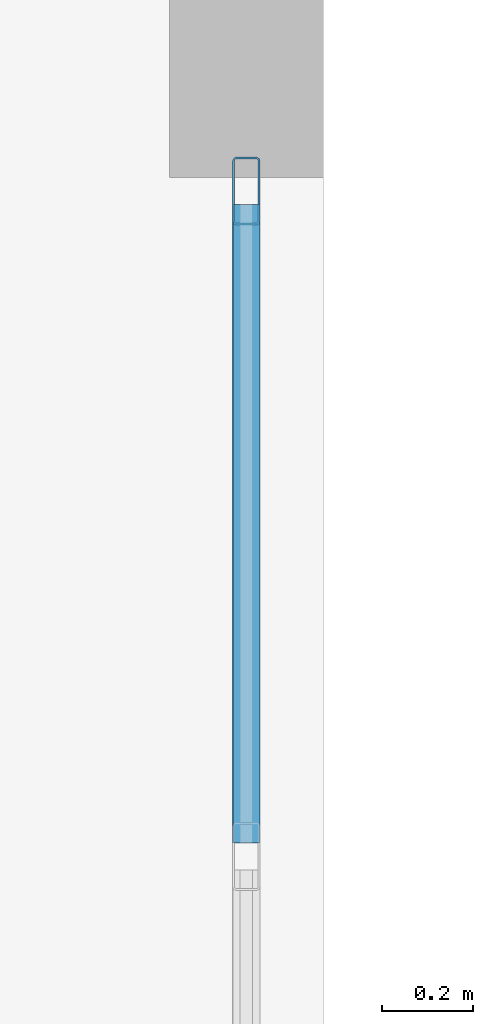
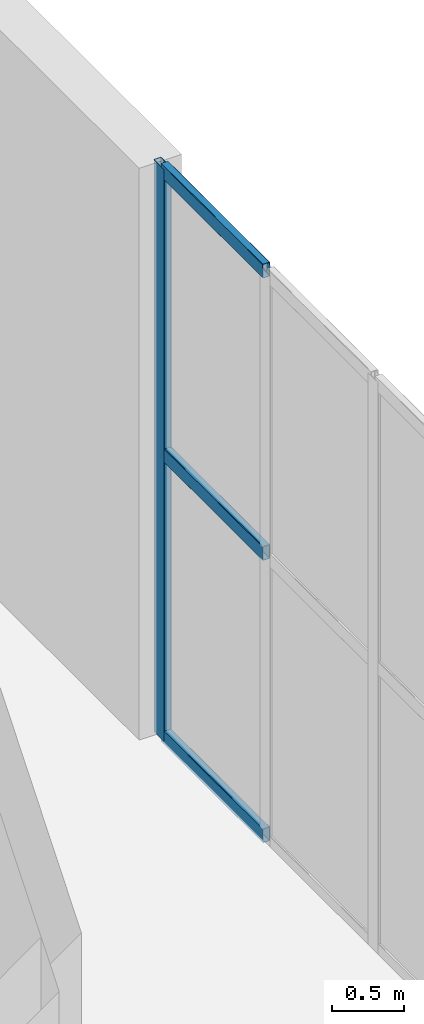
# One storey, part 5 of 10: 4 members, 1 element without a shape of its own.
"""IFC4 building model written with IfcOpenShell, lengths in metres."""

from ifc_helpers import new_model, entity, si_unit, converted_unit, direction, frame, origin_with_axes, origin_2d_with_axis, place, context, subcontext, project, spatial, hollow_rectangle, extrude, material, material_profile, profile_set, type_object, element, aggregate, save


model = new_model("IFC4")

# Units and contexts
model_context = context("Model", 3, precision=1e-05, world=origin_with_axes(), true_north=direction((0.0, 1.0)))
body_context = subcontext(model_context, "Body", "Model", "MODEL_VIEW")
ifc_project = project(units=[si_unit("LENGTHUNIT", "METRE"), si_unit("AREAUNIT", "SQUARE_METRE"), si_unit("VOLUMEUNIT", "CUBIC_METRE"), converted_unit("PLANEANGLEUNIT", "DEGREE", entity("IfcPlaneAngleMeasure", 0.017453292519943295), si_unit("PLANEANGLEUNIT", "RADIAN"), dimensions=[0, 0, 0, 0, 0, 0, 0]), si_unit("MASSUNIT", "GRAM", prefix="KILO"), si_unit("THERMODYNAMICTEMPERATUREUNIT", "KELVIN")], contexts=[model_context])

# Site, building, storey
site_placement = place(None, origin_with_axes())
site = spatial("IfcSite", under=ifc_project, at=site_placement, CompositionType="ELEMENT")
building_placement = place(site_placement, origin_with_axes())
building = spatial("IfcBuilding", under=site, at=building_placement, Name="Varnlund Millrace Tower", CompositionType="ELEMENT")
storey_placement = place(building_placement, frame((0.0, 0.0, 303.6), z_axis=(0.0, 0.0, 1.0), x_axis=(1.0, 0.0, 0.0)))
storey = spatial("IfcBuildingStorey", under=building, at=storey_placement, Name="L75", CompositionType="ELEMENT", Elevation=303.6)

# Curtain wall, members
ifc_material_1 = material(Name="Thermally broken architectural bronze curtain wall", Category="aluminium")
curtain_wall_type = type_object("IfcCurtainWallType", Name="Type-CW-Sys5-SkyLobby2Pool", PredefinedType="NOTDEFINED", material=ifc_material_1)
curtain_wall_placement = place(storey_placement, frame((31.03, 33.25, 0.0), z_axis=(0.0, 0.0, 1.0), x_axis=(1.0, 0.0, 0.0)))
curtain_wall = element("IfcCurtainWall", 1, at=curtain_wall_placement, inside=storey, type_object=curtain_wall_type, Name="Type-CW-Sys5-SkyLobby2Pool", PredefinedType="NOTDEFINED")
ifc_material_2 = material(Name="Architectural bronze aluminium alloy 6063-T6", Category="aluminium")
ifc_material_profile_1 = material_profile(ifc_material_2, hollow_rectangle(XDim=0.06, YDim=0.15, WallThickness=0.004, InnerFilletRadius=0.004, OuterFilletRadius=0.008, at=origin_2d_with_axis()), Name="Architectural bronze aluminium alloy 6063-T6")
ifc_profile_set_1 = profile_set([ifc_material_profile_1], Name="Architectural bronze aluminium alloy 6063-T6")
member_type_1 = type_object("IfcMemberType", Name="Type-CW-Mullion-60X150", PredefinedType="MULLION", material=ifc_profile_set_1)
member_1_placement = place(storey_placement, frame((31.03, 33.22, 0.0), z_axis=(0.0, 0.0, 1.0), x_axis=(1.0, 0.0, 0.0)))
member_1 = element("IfcMember", 2, at=member_1_placement, type_object=member_type_1, Name="CW-05 mullion 1", PredefinedType="MULLION", context=body_context, shape_type="SweptSolid", body=[
    extrude(hollow_rectangle(XDim=0.06, YDim=0.15, WallThickness=0.004, InnerFilletRadius=0.004, OuterFilletRadius=0.008, at=origin_2d_with_axis()), origin_with_axes(), (0.0, 0.0, 1.0), 4.84),
])
ifc_material_profile_2 = material_profile(ifc_material_2, hollow_rectangle(XDim=0.06, YDim=0.12, WallThickness=0.004, InnerFilletRadius=0.004, OuterFilletRadius=0.008, at=origin_2d_with_axis()), Name="Architectural bronze aluminium alloy 6063-T6")
ifc_profile_set_2 = profile_set([ifc_material_profile_2], Name="Architectural bronze aluminium alloy 6063-T6")
member_type_2 = type_object("IfcMemberType", Name="Type-CW-Transom-60X120", PredefinedType="USERDEFINED", material=ifc_profile_set_2)
member_2_placement = place(storey_placement, frame((31.03, 33.19, 0.03), z_axis=(0.0, -1.0, 0.0), x_axis=(1.0, 0.0, 0.0)))
member_2 = element("IfcMember", 3, at=member_2_placement, type_object=member_type_2, Name="CW-05 transom 1.1", ObjectType="TRANSOM", PredefinedType="USERDEFINED", context=body_context, shape_type="SweptSolid", body=[
    extrude(hollow_rectangle(XDim=0.06, YDim=0.12, WallThickness=0.004, InnerFilletRadius=0.004, OuterFilletRadius=0.008, at=origin_2d_with_axis()), origin_with_axes(), (0.0, 0.0, 1.0), 1.41),
])
member_3_placement = place(storey_placement, frame((31.03, 33.19, 2.42), z_axis=(0.0, -1.0, 0.0), x_axis=(1.0, 0.0, 0.0)))
member_3 = element("IfcMember", 4, at=member_3_placement, type_object=member_type_2, Name="CW-05 transom 1.2", ObjectType="TRANSOM", PredefinedType="USERDEFINED", context=body_context, shape_type="SweptSolid", body=[
    extrude(hollow_rectangle(XDim=0.06, YDim=0.12, WallThickness=0.004, InnerFilletRadius=0.004, OuterFilletRadius=0.008, at=origin_2d_with_axis()), origin_with_axes(), (0.0, 0.0, 1.0), 1.41),
])
member_4_placement = place(storey_placement, frame((31.03, 33.19, 4.81), z_axis=(0.0, -1.0, 0.0), x_axis=(1.0, 0.0, 0.0)))
member_4 = element("IfcMember", 5, at=member_4_placement, type_object=member_type_2, Name="CW-05 transom 1.3", ObjectType="TRANSOM", PredefinedType="USERDEFINED", context=body_context, shape_type="SweptSolid", body=[
    extrude(hollow_rectangle(XDim=0.06, YDim=0.12, WallThickness=0.004, InnerFilletRadius=0.004, OuterFilletRadius=0.008, at=origin_2d_with_axis()), origin_with_axes(), (0.0, 0.0, 1.0), 1.41),
])
aggregate(curtain_wall, [member_1, member_2, member_3, member_4])

save(model, "model.ifc")
